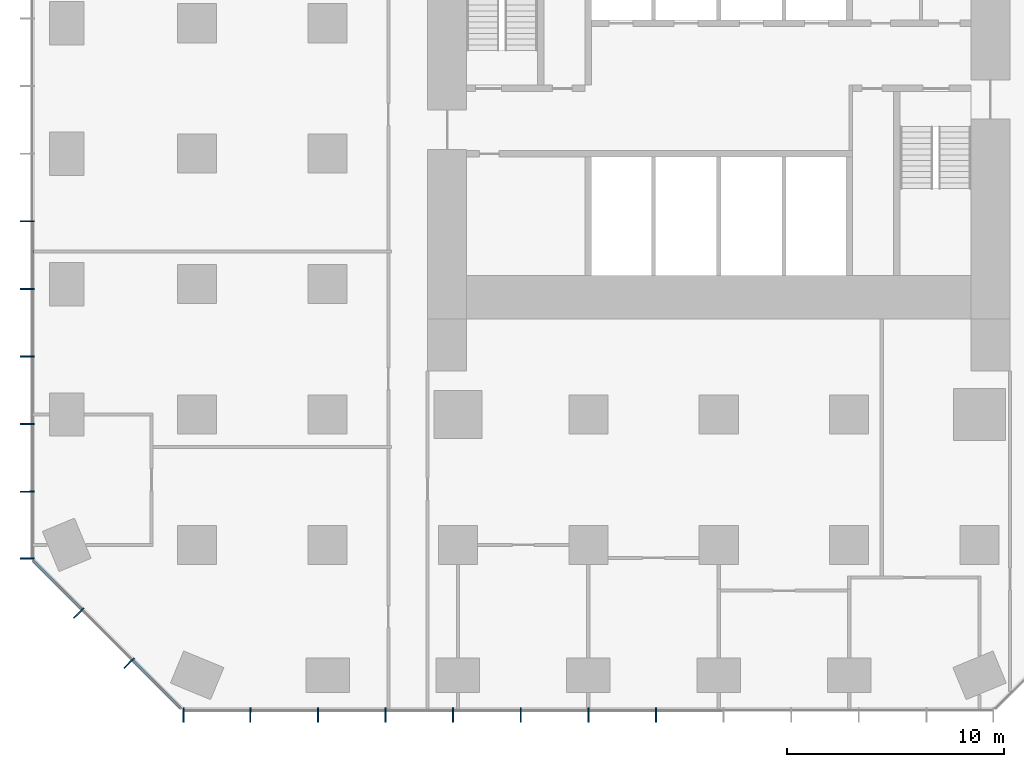
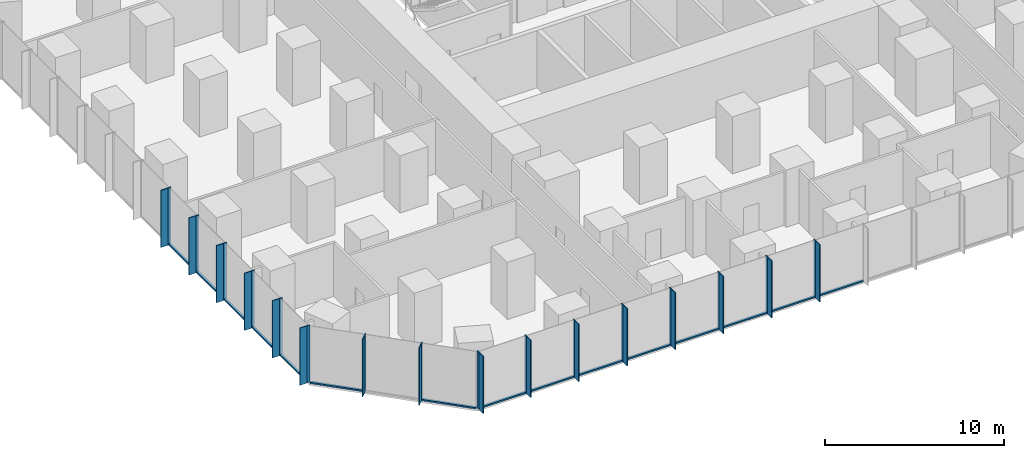
# One storey, part 2 of 11: 47 members, 3 elements without a shape of their own.
"""IFC4 building model written with IfcOpenShell, lengths in metres."""

from ifc_helpers import new_model, si_unit, direction, frame, origin, origin_2d, place, context, subcontext, project, spatial, rectangle, extrude, material, layer, layer_set, material_profile, profile_set, type_object, element, aggregate, save


model = new_model("IFC4")

# Units and contexts
model_context = context("Model", 3, precision=1e-05, world=origin(), true_north=direction((0.0, 1.0)))
body_context = subcontext(model_context, "Body", "Model", "MODEL_VIEW")
ifc_project = project(units=[si_unit("LENGTHUNIT", "METRE"), si_unit("AREAUNIT", "SQUARE_METRE"), si_unit("VOLUMEUNIT", "CUBIC_METRE"), si_unit("PLANEANGLEUNIT", "RADIAN"), si_unit("MASSUNIT", "GRAM", prefix="KILO")], contexts=[model_context])

# Site, building, storey
site_placement = place(None, origin())
site = spatial("IfcSite", under=ifc_project, at=site_placement, CompositionType="ELEMENT")
building_placement = place(site_placement, origin())
building = spatial("IfcBuilding", under=site, at=building_placement, Name="Highveld Stack Headquarters", CompositionType="ELEMENT")
storey_placement = place(building_placement, frame((0.0, 0.0, 33.800048828125)))
storey = spatial("IfcBuildingStorey", under=building, at=storey_placement, Name="L07", CompositionType="ELEMENT", Elevation=33.800048828125)

# Curtain wall, members
ifc_material_1 = material(Name="Aluminium bronze anodised", Category="aluminium")
ifc_layer_1 = layer(ifc_material_1, 0.199951171875)
ifc_layer_set_1 = layer_set([ifc_layer_1], Name="Aluminium bronze anodised")
curtain_wall_type_1 = type_object("IfcCurtainWallType", Name="CW1 TOWER UNITISED CURTAIN WALL", PredefinedType="NOTDEFINED", material=ifc_layer_set_1)
curtain_wall_1_placement = place(storey_placement, origin())
curtain_wall_1 = element("IfcCurtainWall", 1, at=curtain_wall_1_placement, inside=storey, type_object=curtain_wall_type_1, Name="Curtain wall CW1 L07 S", PredefinedType="NOTDEFINED")
ifc_material_2 = material(Name="Aluminium bronze anodised", Category="aluminium")
ifc_material_profile_1 = material_profile(ifc_material_2, rectangle(XDim=0.449951171875, YDim=0.06005859375, at=origin_2d()), Name="FIN 450x60")
ifc_profile_set_1 = profile_set([ifc_material_profile_1], Name="Aluminium bronze anodised")
member_type_1 = type_object("IfcMemberType", Name="CW1 BRONZE FIN 450x60", PredefinedType="USERDEFINED", material=ifc_profile_set_1)
member_1_placement = place(storey_placement, frame((-18.630126953125, -25.925048828125, 0.0), z_axis=(0.0, 0.0, 1.0), x_axis=(0.0, 1.0, 0.0)))
member_1 = element("IfcMember", 2, at=member_1_placement, type_object=member_type_1, Name="CW1 fin L07 1", ObjectType="FIN", PredefinedType="USERDEFINED", context=body_context, shape_type="SweptSolid", body=[
    extrude(rectangle(XDim=0.449951171875, YDim=0.06005859375, at=origin_2d()), origin(), (0.0, 0.0, 1.0), 3.89990234375),
])
member_2_placement = place(storey_placement, frame((-15.55224609375, -25.925048828125, 0.0), z_axis=(0.0, 0.0, 1.0), x_axis=(0.0, 1.0, 0.0)))
member_2 = element("IfcMember", 3, at=member_2_placement, type_object=member_type_1, Name="CW1 fin L07 2", ObjectType="FIN", PredefinedType="USERDEFINED", context=body_context, shape_type="SweptSolid", body=[
    extrude(rectangle(XDim=0.449951171875, YDim=0.06005859375, at=origin_2d()), origin(), (0.0, 0.0, 1.0), 3.89990234375),
])
member_3_placement = place(storey_placement, frame((-12.44189453125, -25.925048828125, 0.0), z_axis=(0.0, 0.0, 1.0), x_axis=(0.0, 1.0, 0.0)))
member_3 = element("IfcMember", 4, at=member_3_placement, type_object=member_type_1, Name="CW1 fin L07 3", ObjectType="FIN", PredefinedType="USERDEFINED", context=body_context, shape_type="SweptSolid", body=[
    extrude(rectangle(XDim=0.449951171875, YDim=0.06005859375, at=origin_2d()), origin(), (0.0, 0.0, 1.0), 3.89990234375),
])
member_4_placement = place(storey_placement, frame((-9.331298828125, -25.925048828125, 0.0), z_axis=(0.0, 0.0, 1.0), x_axis=(0.0, 1.0, 0.0)))
member_4 = element("IfcMember", 5, at=member_4_placement, type_object=member_type_1, Name="CW1 fin L07 4", ObjectType="FIN", PredefinedType="USERDEFINED", context=body_context, shape_type="SweptSolid", body=[
    extrude(rectangle(XDim=0.449951171875, YDim=0.06005859375, at=origin_2d()), origin(), (0.0, 0.0, 1.0), 3.89990234375),
])
member_5_placement = place(storey_placement, frame((-6.220947265625, -25.925048828125, 0.0), z_axis=(0.0, 0.0, 1.0), x_axis=(0.0, 1.0, 0.0)))
member_5 = element("IfcMember", 6, at=member_5_placement, type_object=member_type_1, Name="CW1 fin L07 5", ObjectType="FIN", PredefinedType="USERDEFINED", context=body_context, shape_type="SweptSolid", body=[
    extrude(rectangle(XDim=0.449951171875, YDim=0.06005859375, at=origin_2d()), origin(), (0.0, 0.0, 1.0), 3.89990234375),
])
member_6_placement = place(storey_placement, frame((-3.110595703125, -25.925048828125, 0.0), z_axis=(0.0, 0.0, 1.0), x_axis=(0.0, 1.0, 0.0)))
member_6 = element("IfcMember", 7, at=member_6_placement, type_object=member_type_1, Name="CW1 fin L07 6", ObjectType="FIN", PredefinedType="USERDEFINED", context=body_context, shape_type="SweptSolid", body=[
    extrude(rectangle(XDim=0.449951171875, YDim=0.06005859375, at=origin_2d()), origin(), (0.0, 0.0, 1.0), 3.89990234375),
])
member_7_placement = place(storey_placement, frame((0.0, -25.925048828125, 0.0), z_axis=(0.0, 0.0, 1.0), x_axis=(0.0, 1.0, 0.0)))
member_7 = element("IfcMember", 8, at=member_7_placement, type_object=member_type_1, Name="CW1 fin L07 7", ObjectType="FIN", PredefinedType="USERDEFINED", context=body_context, shape_type="SweptSolid", body=[
    extrude(rectangle(XDim=0.449951171875, YDim=0.06005859375, at=origin_2d()), origin(), (0.0, 0.0, 1.0), 3.89990234375),
])
member_8_placement = place(storey_placement, frame((3.110595703125, -25.925048828125, 0.0), z_axis=(0.0, 0.0, 1.0), x_axis=(0.0, 1.0, 0.0)))
member_8 = element("IfcMember", 9, at=member_8_placement, type_object=member_type_1, Name="CW1 fin L07 8", ObjectType="FIN", PredefinedType="USERDEFINED", context=body_context, shape_type="SweptSolid", body=[
    extrude(rectangle(XDim=0.449951171875, YDim=0.06005859375, at=origin_2d()), origin(), (0.0, 0.0, 1.0), 3.89990234375),
])

curtain_wall_2_placement = place(storey_placement, origin())
curtain_wall_2 = element("IfcCurtainWall", 10, at=curtain_wall_2_placement, inside=storey, type_object=curtain_wall_type_1, Name="Curtain wall CW1 L07 W", PredefinedType="NOTDEFINED")
member_9_placement = place(storey_placement, frame((-25.925048828125, -3.110595703125, 0.0), z_axis=(0.0, 0.0, 1.0), x_axis=(1.0, 0.0, 0.0)))
member_9 = element("IfcMember", 11, at=member_9_placement, type_object=member_type_1, Name="CW1 fin L07 8", ObjectType="FIN", PredefinedType="USERDEFINED", context=body_context, shape_type="SweptSolid", body=[
    extrude(rectangle(XDim=0.449951171875, YDim=0.06005859375, at=origin_2d()), origin(), (0.0, 0.0, 1.0), 3.89990234375),
])
member_10_placement = place(storey_placement, frame((-25.925048828125, -6.220947265625, 0.0), z_axis=(0.0, 0.0, 1.0), x_axis=(1.0, 0.0, 0.0)))
member_10 = element("IfcMember", 12, at=member_10_placement, type_object=member_type_1, Name="CW1 fin L07 9", ObjectType="FIN", PredefinedType="USERDEFINED", context=body_context, shape_type="SweptSolid", body=[
    extrude(rectangle(XDim=0.449951171875, YDim=0.06005859375, at=origin_2d()), origin(), (0.0, 0.0, 1.0), 3.89990234375),
])
member_11_placement = place(storey_placement, frame((-25.925048828125, -9.331298828125, 0.0), z_axis=(0.0, 0.0, 1.0), x_axis=(1.0, 0.0, 0.0)))
member_11 = element("IfcMember", 13, at=member_11_placement, type_object=member_type_1, Name="CW1 fin L07 10", ObjectType="FIN", PredefinedType="USERDEFINED", context=body_context, shape_type="SweptSolid", body=[
    extrude(rectangle(XDim=0.449951171875, YDim=0.06005859375, at=origin_2d()), origin(), (0.0, 0.0, 1.0), 3.89990234375),
])
member_12_placement = place(storey_placement, frame((-25.925048828125, -12.44189453125, 0.0), z_axis=(0.0, 0.0, 1.0), x_axis=(1.0, 0.0, 0.0)))
member_12 = element("IfcMember", 14, at=member_12_placement, type_object=member_type_1, Name="CW1 fin L07 11", ObjectType="FIN", PredefinedType="USERDEFINED", context=body_context, shape_type="SweptSolid", body=[
    extrude(rectangle(XDim=0.449951171875, YDim=0.06005859375, at=origin_2d()), origin(), (0.0, 0.0, 1.0), 3.89990234375),
])
member_13_placement = place(storey_placement, frame((-25.925048828125, -15.55224609375, 0.0), z_axis=(0.0, 0.0, 1.0), x_axis=(1.0, 0.0, 0.0)))
member_13 = element("IfcMember", 15, at=member_13_placement, type_object=member_type_1, Name="CW1 fin L07 12", ObjectType="FIN", PredefinedType="USERDEFINED", context=body_context, shape_type="SweptSolid", body=[
    extrude(rectangle(XDim=0.449951171875, YDim=0.06005859375, at=origin_2d()), origin(), (0.0, 0.0, 1.0), 3.89990234375),
])
member_14_placement = place(storey_placement, frame((-25.925048828125, -18.630126953125, 0.0), z_axis=(0.0, 0.0, 1.0), x_axis=(1.0, 0.0, 0.0)))
member_14 = element("IfcMember", 16, at=member_14_placement, type_object=member_type_1, Name="CW1 fin L07 13", ObjectType="FIN", PredefinedType="USERDEFINED", context=body_context, shape_type="SweptSolid", body=[
    extrude(rectangle(XDim=0.449951171875, YDim=0.06005859375, at=origin_2d()), origin(), (0.0, 0.0, 1.0), 3.89990234375),
])

# Member
ifc_material_3 = material(Name="Aluminium bronze anodised", Category="aluminium")
ifc_material_profile_2 = material_profile(ifc_material_3, rectangle(XDim=0.199951171875, YDim=0.06494140625, at=origin_2d()), Name="CW1 MULLION 65x200")
ifc_profile_set_2 = profile_set([ifc_material_profile_2], Name="Aluminium bronze anodised")
member_type_2 = type_object("IfcMemberType", Name="CW1 MULLION 65x200", PredefinedType="MULLION", material=ifc_profile_set_2)
member_15_placement = place(storey_placement, frame((-18.630126953125, -25.60009765625, 0.0), z_axis=(0.0, 0.0, 1.0), x_axis=(0.0, 1.0, 0.0)))
member_15 = element("IfcMember", 17, at=member_15_placement, type_object=member_type_2, Name="CW1 mullion L07 1", PredefinedType="MULLION", context=body_context, shape_type="SweptSolid", body=[
    extrude(rectangle(XDim=0.199951171875, YDim=0.06494140625, at=origin_2d()), origin(), (0.0, 0.0, 1.0), 3.89990234375),
])

member_16_placement = place(storey_placement, frame((-15.55224609375, -25.60009765625, 0.0), z_axis=(0.0, 0.0, 1.0), x_axis=(0.0, 1.0, 0.0)))
member_16 = element("IfcMember", 18, at=member_16_placement, type_object=member_type_2, Name="CW1 mullion L07 2", PredefinedType="MULLION", context=body_context, shape_type="SweptSolid", body=[
    extrude(rectangle(XDim=0.199951171875, YDim=0.06494140625, at=origin_2d()), origin(), (0.0, 0.0, 1.0), 3.89990234375),
])

member_17_placement = place(storey_placement, frame((-12.44189453125, -25.60009765625, 0.0), z_axis=(0.0, 0.0, 1.0), x_axis=(0.0, 1.0, 0.0)))
member_17 = element("IfcMember", 19, at=member_17_placement, type_object=member_type_2, Name="CW1 mullion L07 3", PredefinedType="MULLION", context=body_context, shape_type="SweptSolid", body=[
    extrude(rectangle(XDim=0.199951171875, YDim=0.06494140625, at=origin_2d()), origin(), (0.0, 0.0, 1.0), 3.89990234375),
])

member_18_placement = place(storey_placement, frame((-9.331298828125, -25.60009765625, 0.0), z_axis=(0.0, 0.0, 1.0), x_axis=(0.0, 1.0, 0.0)))
member_18 = element("IfcMember", 20, at=member_18_placement, type_object=member_type_2, Name="CW1 mullion L07 4", PredefinedType="MULLION", context=body_context, shape_type="SweptSolid", body=[
    extrude(rectangle(XDim=0.199951171875, YDim=0.06494140625, at=origin_2d()), origin(), (0.0, 0.0, 1.0), 3.89990234375),
])

member_19_placement = place(storey_placement, frame((-6.220947265625, -25.60009765625, 0.0), z_axis=(0.0, 0.0, 1.0), x_axis=(0.0, 1.0, 0.0)))
member_19 = element("IfcMember", 21, at=member_19_placement, type_object=member_type_2, Name="CW1 mullion L07 5", PredefinedType="MULLION", context=body_context, shape_type="SweptSolid", body=[
    extrude(rectangle(XDim=0.199951171875, YDim=0.06494140625, at=origin_2d()), origin(), (0.0, 0.0, 1.0), 3.89990234375),
])

member_20_placement = place(storey_placement, frame((-3.110595703125, -25.60009765625, 0.0), z_axis=(0.0, 0.0, 1.0), x_axis=(0.0, 1.0, 0.0)))
member_20 = element("IfcMember", 22, at=member_20_placement, type_object=member_type_2, Name="CW1 mullion L07 6", PredefinedType="MULLION", context=body_context, shape_type="SweptSolid", body=[
    extrude(rectangle(XDim=0.199951171875, YDim=0.06494140625, at=origin_2d()), origin(), (0.0, 0.0, 1.0), 3.89990234375),
])

member_21_placement = place(storey_placement, frame((0.0, -25.60009765625, 0.0), z_axis=(0.0, 0.0, 1.0), x_axis=(0.0, 1.0, 0.0)))
member_21 = element("IfcMember", 23, at=member_21_placement, type_object=member_type_2, Name="CW1 mullion L07 7", PredefinedType="MULLION", context=body_context, shape_type="SweptSolid", body=[
    extrude(rectangle(XDim=0.199951171875, YDim=0.06494140625, at=origin_2d()), origin(), (0.0, 0.0, 1.0), 3.89990234375),
])

member_22_placement = place(storey_placement, frame((3.110595703125, -25.60009765625, 0.0), z_axis=(0.0, 0.0, 1.0), x_axis=(0.0, 1.0, 0.0)))
member_22 = element("IfcMember", 24, at=member_22_placement, type_object=member_type_2, Name="CW1 mullion L07 8", PredefinedType="MULLION", context=body_context, shape_type="SweptSolid", body=[
    extrude(rectangle(XDim=0.199951171875, YDim=0.06494140625, at=origin_2d()), origin(), (0.0, 0.0, 1.0), 3.89990234375),
])

member_23_placement = place(storey_placement, frame((-25.60009765625, -3.110595703125, 0.0), z_axis=(0.0, 0.0, 1.0), x_axis=(1.0, 0.0, 0.0)))
member_23 = element("IfcMember", 25, at=member_23_placement, type_object=member_type_2, Name="CW1 mullion L07 8", PredefinedType="MULLION", context=body_context, shape_type="SweptSolid", body=[
    extrude(rectangle(XDim=0.199951171875, YDim=0.06494140625, at=origin_2d()), origin(), (0.0, 0.0, 1.0), 3.89990234375),
])

member_24_placement = place(storey_placement, frame((-25.60009765625, -6.220947265625, 0.0), z_axis=(0.0, 0.0, 1.0), x_axis=(1.0, 0.0, 0.0)))
member_24 = element("IfcMember", 26, at=member_24_placement, type_object=member_type_2, Name="CW1 mullion L07 9", PredefinedType="MULLION", context=body_context, shape_type="SweptSolid", body=[
    extrude(rectangle(XDim=0.199951171875, YDim=0.06494140625, at=origin_2d()), origin(), (0.0, 0.0, 1.0), 3.89990234375),
])

member_25_placement = place(storey_placement, frame((-25.60009765625, -9.331298828125, 0.0), z_axis=(0.0, 0.0, 1.0), x_axis=(1.0, 0.0, 0.0)))
member_25 = element("IfcMember", 27, at=member_25_placement, type_object=member_type_2, Name="CW1 mullion L07 10", PredefinedType="MULLION", context=body_context, shape_type="SweptSolid", body=[
    extrude(rectangle(XDim=0.199951171875, YDim=0.06494140625, at=origin_2d()), origin(), (0.0, 0.0, 1.0), 3.89990234375),
])

member_26_placement = place(storey_placement, frame((-25.60009765625, -12.44189453125, 0.0), z_axis=(0.0, 0.0, 1.0), x_axis=(1.0, 0.0, 0.0)))
member_26 = element("IfcMember", 28, at=member_26_placement, type_object=member_type_2, Name="CW1 mullion L07 11", PredefinedType="MULLION", context=body_context, shape_type="SweptSolid", body=[
    extrude(rectangle(XDim=0.199951171875, YDim=0.06494140625, at=origin_2d()), origin(), (0.0, 0.0, 1.0), 3.89990234375),
])

member_27_placement = place(storey_placement, frame((-25.60009765625, -15.55224609375, 0.0), z_axis=(0.0, 0.0, 1.0), x_axis=(1.0, 0.0, 0.0)))
member_27 = element("IfcMember", 29, at=member_27_placement, type_object=member_type_2, Name="CW1 mullion L07 12", PredefinedType="MULLION", context=body_context, shape_type="SweptSolid", body=[
    extrude(rectangle(XDim=0.199951171875, YDim=0.06494140625, at=origin_2d()), origin(), (0.0, 0.0, 1.0), 3.89990234375),
])

member_28_placement = place(storey_placement, frame((-25.60009765625, -18.630126953125, 0.0), z_axis=(0.0, 0.0, 1.0), x_axis=(1.0, 0.0, 0.0)))
member_28 = element("IfcMember", 30, at=member_28_placement, type_object=member_type_2, Name="CW1 mullion L07 13", PredefinedType="MULLION", context=body_context, shape_type="SweptSolid", body=[
    extrude(rectangle(XDim=0.199951171875, YDim=0.06494140625, at=origin_2d()), origin(), (0.0, 0.0, 1.0), 3.89990234375),
])

ifc_material_4 = material(Name="Aluminium bronze anodised", Category="aluminium")
ifc_material_profile_3 = material_profile(ifc_material_4, rectangle(XDim=0.14990234375, YDim=0.10009765625, at=origin_2d()), Name="CW1 TRANSOM 150x100")
ifc_profile_set_3 = profile_set([ifc_material_profile_3], Name="Aluminium bronze anodised")
member_type_3 = type_object("IfcMemberType", Name="CW1 STACK TRANSOM 150x100", PredefinedType="USERDEFINED", material=ifc_profile_set_3)
member_29_placement = place(storey_placement, frame((-18.59765625, -25.60009765625, 0.050048828125), z_axis=(1.0, 0.0, 0.0), x_axis=(0.0, 1.0, 0.0)))
member_29 = element("IfcMember", 31, at=member_29_placement, type_object=member_type_3, Name="CW1 transom L07 1.1", ObjectType="TRANSOM", PredefinedType="USERDEFINED", context=body_context, shape_type="SweptSolid", body=[
    extrude(rectangle(XDim=0.14990234375, YDim=0.10009765625, at=origin_2d()), origin(), (0.0, 0.0, 1.0), 3.012939453125),
])

member_30_placement = place(storey_placement, frame((-15.519775390625, -25.60009765625, 0.050048828125), z_axis=(1.0, 0.0, 0.0), x_axis=(0.0, 1.0, 0.0)))
member_30 = element("IfcMember", 32, at=member_30_placement, type_object=member_type_3, Name="CW1 transom L07 2.1", ObjectType="TRANSOM", PredefinedType="USERDEFINED", context=body_context, shape_type="SweptSolid", body=[
    extrude(rectangle(XDim=0.14990234375, YDim=0.10009765625, at=origin_2d()), origin(), (0.0, 0.0, 1.0), 3.04541015625),
])

member_31_placement = place(storey_placement, frame((-12.4091796875, -25.60009765625, 0.050048828125), z_axis=(1.0, 0.0, 0.0), x_axis=(0.0, 1.0, 0.0)))
member_31 = element("IfcMember", 33, at=member_31_placement, type_object=member_type_3, Name="CW1 transom L07 3.1", ObjectType="TRANSOM", PredefinedType="USERDEFINED", context=body_context, shape_type="SweptSolid", body=[
    extrude(rectangle(XDim=0.14990234375, YDim=0.10009765625, at=origin_2d()), origin(), (0.0, 0.0, 1.0), 3.045166015625),
])

member_32_placement = place(storey_placement, frame((-9.298828125, -25.60009765625, 0.050048828125), z_axis=(1.0, 0.0, 0.0), x_axis=(0.0, 1.0, 0.0)))
member_32 = element("IfcMember", 34, at=member_32_placement, type_object=member_type_3, Name="CW1 transom L07 4.1", ObjectType="TRANSOM", PredefinedType="USERDEFINED", context=body_context, shape_type="SweptSolid", body=[
    extrude(rectangle(XDim=0.14990234375, YDim=0.10009765625, at=origin_2d()), origin(), (0.0, 0.0, 1.0), 3.04541015625),
])

member_33_placement = place(storey_placement, frame((-6.1884765625, -25.60009765625, 0.050048828125), z_axis=(1.0, 0.0, 0.0), x_axis=(0.0, 1.0, 0.0)))
member_33 = element("IfcMember", 35, at=member_33_placement, type_object=member_type_3, Name="CW1 transom L07 5.1", ObjectType="TRANSOM", PredefinedType="USERDEFINED", context=body_context, shape_type="SweptSolid", body=[
    extrude(rectangle(XDim=0.14990234375, YDim=0.10009765625, at=origin_2d()), origin(), (0.0, 0.0, 1.0), 3.04541015625),
])

member_34_placement = place(storey_placement, frame((-3.077880859375, -25.60009765625, 0.050048828125), z_axis=(1.0, 0.0, 0.0), x_axis=(0.0, 1.0, 0.0)))
member_34 = element("IfcMember", 36, at=member_34_placement, type_object=member_type_3, Name="CW1 transom L07 6.1", ObjectType="TRANSOM", PredefinedType="USERDEFINED", context=body_context, shape_type="SweptSolid", body=[
    extrude(rectangle(XDim=0.14990234375, YDim=0.10009765625, at=origin_2d()), origin(), (0.0, 0.0, 1.0), 3.04541015625),
])

member_35_placement = place(storey_placement, frame((0.032470703125, -25.60009765625, 0.050048828125), z_axis=(1.0, 0.0, 0.0), x_axis=(0.0, 1.0, 0.0)))
member_35 = element("IfcMember", 37, at=member_35_placement, type_object=member_type_3, Name="CW1 transom L07 7.1", ObjectType="TRANSOM", PredefinedType="USERDEFINED", context=body_context, shape_type="SweptSolid", body=[
    extrude(rectangle(XDim=0.14990234375, YDim=0.10009765625, at=origin_2d()), origin(), (0.0, 0.0, 1.0), 3.04541015625),
])

member_36_placement = place(storey_placement, frame((3.142822265625, -25.60009765625, 0.050048828125), z_axis=(1.0, 0.0, 0.0), x_axis=(0.0, 1.0, 0.0)))
member_36 = element("IfcMember", 38, at=member_36_placement, type_object=member_type_3, Name="CW1 transom L07 8.1", ObjectType="TRANSOM", PredefinedType="USERDEFINED", context=body_context, shape_type="SweptSolid", body=[
    extrude(rectangle(XDim=0.14990234375, YDim=0.10009765625, at=origin_2d()), origin(), (0.0, 0.0, 1.0), 3.045654296875),
])

aggregate(curtain_wall_1, [member_15, member_1, member_16, member_2, member_17, member_3, member_18, member_4, member_19, member_5, member_20, member_6, member_21, member_7, member_22, member_8, member_29, member_30, member_31, member_32, member_33, member_34, member_35, member_36])

member_37_placement = place(storey_placement, frame((-25.60009765625, -3.142822265625, 0.050048828125), z_axis=(0.0, -1.0, 0.0), x_axis=(1.0, 0.0, 0.0)))
member_37 = element("IfcMember", 39, at=member_37_placement, type_object=member_type_3, Name="CW1 transom L07 8.1", ObjectType="TRANSOM", PredefinedType="USERDEFINED", context=body_context, shape_type="SweptSolid", body=[
    extrude(rectangle(XDim=0.14990234375, YDim=0.10009765625, at=origin_2d()), origin(), (0.0, 0.0, 1.0), 3.045654296875),
])

member_38_placement = place(storey_placement, frame((-25.60009765625, -6.25341796875, 0.050048828125), z_axis=(0.0, -1.0, 0.0), x_axis=(1.0, 0.0, 0.0)))
member_38 = element("IfcMember", 40, at=member_38_placement, type_object=member_type_3, Name="CW1 transom L07 9.1", ObjectType="TRANSOM", PredefinedType="USERDEFINED", context=body_context, shape_type="SweptSolid", body=[
    extrude(rectangle(XDim=0.14990234375, YDim=0.10009765625, at=origin_2d()), origin(), (0.0, 0.0, 1.0), 3.04541015625),
])

member_39_placement = place(storey_placement, frame((-25.60009765625, -9.36376953125, 0.050048828125), z_axis=(0.0, -1.0, 0.0), x_axis=(1.0, 0.0, 0.0)))
member_39 = element("IfcMember", 41, at=member_39_placement, type_object=member_type_3, Name="CW1 transom L07 10.1", ObjectType="TRANSOM", PredefinedType="USERDEFINED", context=body_context, shape_type="SweptSolid", body=[
    extrude(rectangle(XDim=0.14990234375, YDim=0.10009765625, at=origin_2d()), origin(), (0.0, 0.0, 1.0), 3.04541015625),
])

member_40_placement = place(storey_placement, frame((-25.60009765625, -12.474365234375, 0.050048828125), z_axis=(0.0, -1.0, 0.0), x_axis=(1.0, 0.0, 0.0)))
member_40 = element("IfcMember", 42, at=member_40_placement, type_object=member_type_3, Name="CW1 transom L07 11.1", ObjectType="TRANSOM", PredefinedType="USERDEFINED", context=body_context, shape_type="SweptSolid", body=[
    extrude(rectangle(XDim=0.14990234375, YDim=0.10009765625, at=origin_2d()), origin(), (0.0, 0.0, 1.0), 3.04541015625),
])

member_41_placement = place(storey_placement, frame((-25.60009765625, -15.584716796875, 0.050048828125), z_axis=(0.0, -1.0, 0.0), x_axis=(1.0, 0.0, 0.0)))
member_41 = element("IfcMember", 43, at=member_41_placement, type_object=member_type_3, Name="CW1 transom L07 12.1", ObjectType="TRANSOM", PredefinedType="USERDEFINED", context=body_context, shape_type="SweptSolid", body=[
    extrude(rectangle(XDim=0.14990234375, YDim=0.10009765625, at=origin_2d()), origin(), (0.0, 0.0, 1.0), 3.012939453125),
])

aggregate(curtain_wall_2, [member_23, member_9, member_24, member_10, member_25, member_11, member_26, member_12, member_27, member_13, member_28, member_14, member_37, member_38, member_39, member_40, member_41])

# Curtain wall, members
ifc_material_5 = material(Name="Aluminium bronze anodised", Category="aluminium")
ifc_layer_2 = layer(ifc_material_5, 0.199951171875)
ifc_layer_set_2 = layer_set([ifc_layer_2], Name="Aluminium bronze anodised")
curtain_wall_type_2 = type_object("IfcCurtainWallType", Name="CW2 TOWER CHAMFER UNITISED CURTAIN WALL", PredefinedType="NOTDEFINED", material=ifc_layer_set_2)
curtain_wall_3_placement = place(storey_placement, origin())
curtain_wall_3 = element("IfcCurtainWall", 44, at=curtain_wall_3_placement, inside=storey, type_object=curtain_wall_type_2, Name="Curtain wall CW2 L07 SW", PredefinedType="NOTDEFINED")
ifc_material_6 = material(Name="Aluminium bronze anodised", Category="aluminium")
ifc_material_profile_4 = material_profile(ifc_material_6, rectangle(XDim=0.449951171875, YDim=0.06005859375, at=origin_2d()), Name="FIN 450x60")
ifc_profile_set_4 = profile_set([ifc_material_profile_4], Name="Aluminium bronze anodised")
member_type_4 = type_object("IfcMemberType", Name="CW2 BRONZE FIN 450x60", PredefinedType="USERDEFINED", material=ifc_profile_set_4)
member_42_placement = place(storey_placement, frame((-23.517333984375, -21.204833984375, 0.0), z_axis=(0.0, 0.0, 1.0), x_axis=(0.707106781187, 0.707106781187, 0.0)))
member_42 = element("IfcMember", 45, at=member_42_placement, type_object=member_type_4, Name="CW2 fin L07 1", ObjectType="FIN", PredefinedType="USERDEFINED", context=body_context, shape_type="SweptSolid", body=[
    extrude(rectangle(XDim=0.449951171875, YDim=0.06005859375, at=origin_2d()), origin(), (0.0, 0.0, 1.0), 3.89990234375),
])
member_43_placement = place(storey_placement, frame((-21.204833984375, -23.517333984375, 0.0), z_axis=(0.0, 0.0, 1.0), x_axis=(0.707106781187, 0.707106781187, 0.0)))
member_43 = element("IfcMember", 46, at=member_43_placement, type_object=member_type_4, Name="CW2 fin L07 2", ObjectType="FIN", PredefinedType="USERDEFINED", context=body_context, shape_type="SweptSolid", body=[
    extrude(rectangle(XDim=0.449951171875, YDim=0.06005859375, at=origin_2d()), origin(), (0.0, 0.0, 1.0), 3.89990234375),
])
ifc_material_7 = material(Name="Aluminium bronze anodised", Category="aluminium")
ifc_material_profile_5 = material_profile(ifc_material_7, rectangle(XDim=0.199951171875, YDim=0.06494140625, at=origin_2d()), Name="CW2 MULLION 65x200")
ifc_profile_set_5 = profile_set([ifc_material_profile_5], Name="Aluminium bronze anodised")
member_type_5 = type_object("IfcMemberType", Name="CW2 MULLION 65x200", PredefinedType="MULLION", material=ifc_profile_set_5)
member_44_placement = place(storey_placement, frame((-23.28759765625, -20.97509765625, 0.0), z_axis=(0.0, 0.0, 1.0), x_axis=(0.707106781187, 0.707106781187, 0.0)))
member_44 = element("IfcMember", 47, at=member_44_placement, type_object=member_type_5, Name="CW2 mullion L07 1", PredefinedType="MULLION", context=body_context, shape_type="SweptSolid", body=[
    extrude(rectangle(XDim=0.199951171875, YDim=0.06494140625, at=origin_2d()), origin(), (0.0, 0.0, 1.0), 3.89990234375),
])
member_45_placement = place(storey_placement, frame((-20.97509765625, -23.28759765625, 0.0), z_axis=(0.0, 0.0, 1.0), x_axis=(0.707106781187, 0.707106781187, 0.0)))
member_45 = element("IfcMember", 48, at=member_45_placement, type_object=member_type_5, Name="CW2 mullion L07 2", PredefinedType="MULLION", context=body_context, shape_type="SweptSolid", body=[
    extrude(rectangle(XDim=0.199951171875, YDim=0.06494140625, at=origin_2d()), origin(), (0.0, 0.0, 1.0), 3.89990234375),
])
ifc_material_8 = material(Name="Aluminium bronze anodised", Category="aluminium")
ifc_material_profile_6 = material_profile(ifc_material_8, rectangle(XDim=0.14990234375, YDim=0.10009765625, at=origin_2d()), Name="CW2 TRANSOM 150x100")
ifc_profile_set_6 = profile_set([ifc_material_profile_6], Name="Aluminium bronze anodised")
member_type_6 = type_object("IfcMemberType", Name="CW2 STACK TRANSOM 150x100", PredefinedType="USERDEFINED", material=ifc_profile_set_6)
member_46_placement = place(storey_placement, frame((-25.529296875, -18.7333984375, 0.050048828125), z_axis=(0.707106781187, -0.707106781187, 0.0), x_axis=(0.707106781187, 0.707106781187, 0.0)))
member_46 = element("IfcMember", 49, at=member_46_placement, type_object=member_type_6, Name="CW2 transom L07 1.1", ObjectType="TRANSOM", PredefinedType="USERDEFINED", context=body_context, shape_type="SweptSolid", body=[
    extrude(rectangle(XDim=0.14990234375, YDim=0.10009765625, at=origin_2d()), origin(), (0.0, 0.0, 1.0), 3.1376953125),
])
member_47_placement = place(storey_placement, frame((-20.9521484375, -23.310546875, 0.050048828125), z_axis=(0.707106781187, -0.707106781187, 0.0), x_axis=(0.707106781187, 0.707106781187, 0.0)))
member_47 = element("IfcMember", 50, at=member_47_placement, type_object=member_type_6, Name="CW2 transom L07 3.1", ObjectType="TRANSOM", PredefinedType="USERDEFINED", context=body_context, shape_type="SweptSolid", body=[
    extrude(rectangle(XDim=0.14990234375, YDim=0.10009765625, at=origin_2d()), origin(), (0.0, 0.0, 1.0), 3.1376953125),
])
aggregate(curtain_wall_3, [member_44, member_42, member_45, member_43, member_46, member_47])

save(model, "model.ifc")
